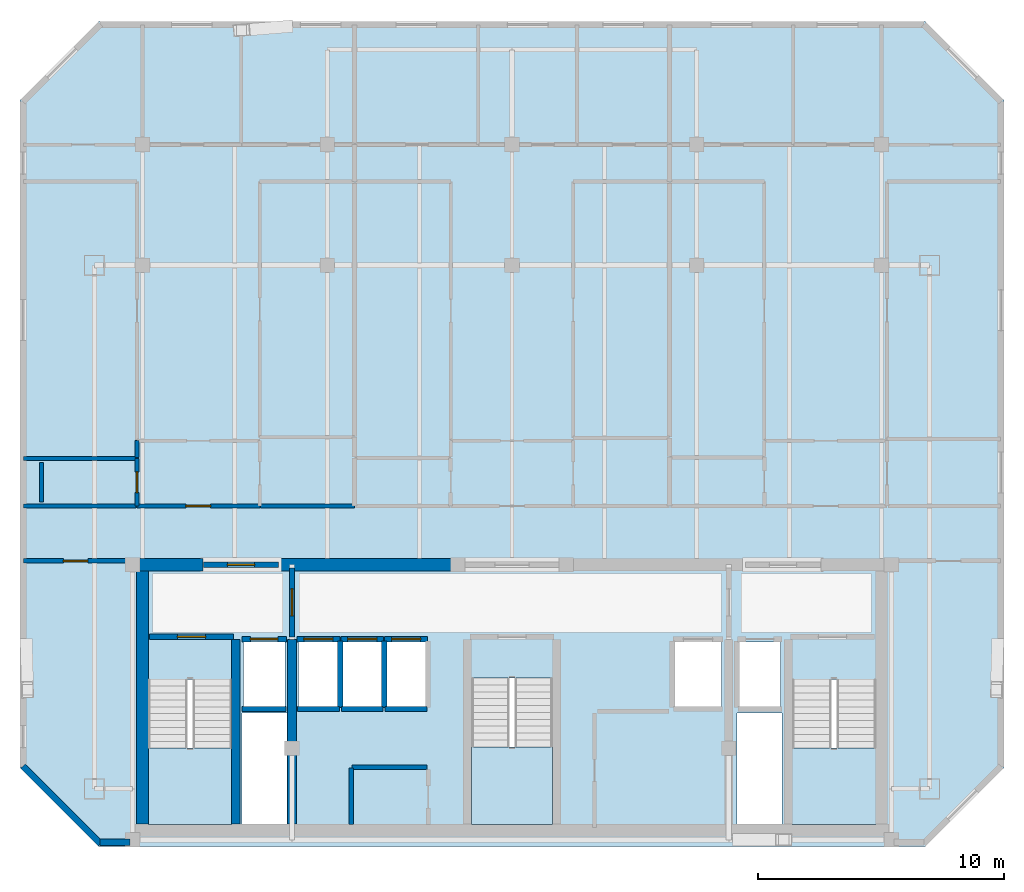
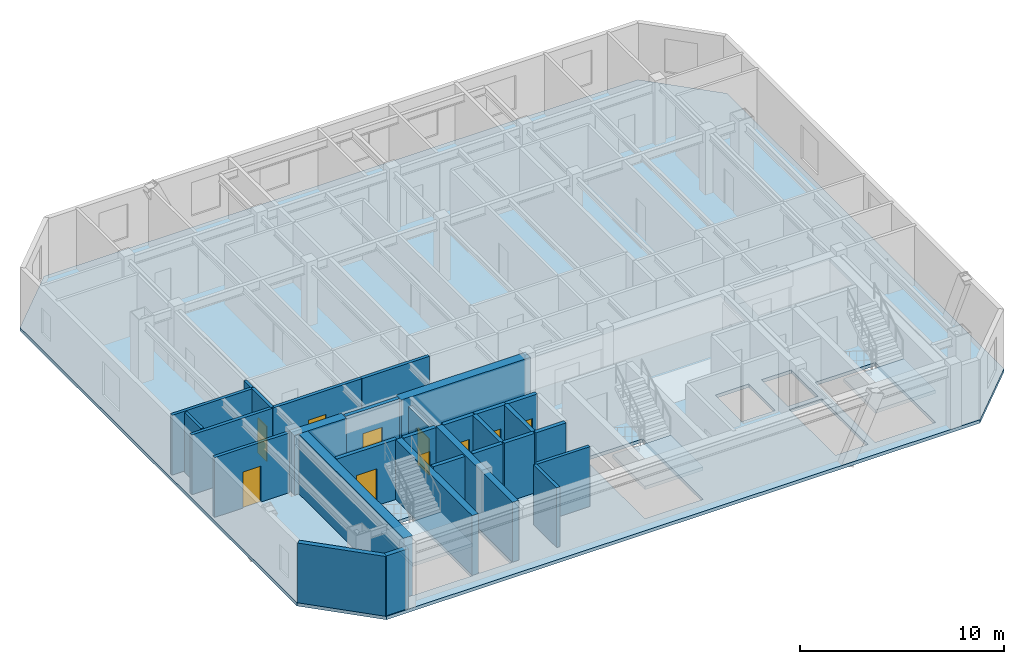
# One storey, part 2 of 7: 30 walls, 10 doors, 4 slabs, 10 openings, 3 elements without a shape of their own.
"""IFC4 building model written with IfcOpenShell, lengths in metres."""

from ifc_helpers import new_model, si_unit, direction, frame, frame_2d, origin, place, context, subcontext, project, spatial, polyline, rectangle, outline, extrude, material, layer, layer_set, type_object, element, fill, aggregate, save


model = new_model("IFC4")

# Units and contexts
model_context = context("Model", 3, precision=1e-05, world=origin(), true_north=direction((0.0, 1.0)))
body_context = subcontext(model_context, "Body", "Model", "MODEL_VIEW")
ifc_project = project(units=[si_unit("LENGTHUNIT", "METRE"), si_unit("AREAUNIT", "SQUARE_METRE"), si_unit("VOLUMEUNIT", "CUBIC_METRE"), si_unit("PLANEANGLEUNIT", "RADIAN"), si_unit("MASSUNIT", "GRAM", prefix="KILO")], contexts=[model_context])

# Site, building, storey
site_placement = place(None, origin())
site = spatial("IfcSite", under=ifc_project, at=site_placement, CompositionType="ELEMENT")
building_placement = place(site_placement, origin())
building = spatial("IfcBuilding", under=site, at=building_placement, Name="Ventersveld Concourse Tower", CompositionType="ELEMENT")
storey_placement = place(building_placement, frame((0.0, 0.0, 304.14990234375)))
storey = spatial("IfcBuildingStorey", under=building, at=storey_placement, Name="L75", CompositionType="ELEMENT", Elevation=304.14990234375)

# Slab
ifc_material_1 = material(Name="Concrete C50/60", Category="concrete")
ifc_layer_1 = layer(ifc_material_1, 0.199951171875)
ifc_layer_set_1 = layer_set([ifc_layer_1], Name="Concrete C50/60")
slab_type_1 = type_object("IfcSlabType", Name="SL-FLR-200", PredefinedType="FLOOR", material=ifc_layer_set_1)
slab_1_placement = place(storey_placement, frame((0.0, 0.0, -0.199951171875)))
element("IfcSlab", 1, at=slab_1_placement, inside=storey, type_object=slab_type_1, Name="L75 Composite Floor Slab", PredefinedType="FLOOR", context=body_context, shape_type="SweptSolid", body=[
    extrude(outline(polyline([(11.979736328125, 0.0), (45.520263671875, 0.0), (48.72021484375, 3.199951171875), (48.72021484375, 30.298828125), (45.520263671875, 33.498779296875), (11.979736328125, 33.498779296875), (8.77978515625, 30.298828125), (8.77978515625, 3.199951171875), (11.979736328125, 0.0)]), holes=[polyline([(13.97998046875, 6.794921875), (13.97998046875, 0.89990234375), (17.3798828125, 0.89990234375), (17.3798828125, 6.794921875), (13.97998046875, 6.794921875)]), polyline([(40.1201171875, 6.794921875), (40.1201171875, 0.89990234375), (43.52001953125, 0.89990234375), (43.52001953125, 6.794921875), (40.1201171875, 6.794921875)]), polyline([(27.10009765625, 6.844970703125), (27.10009765625, 0.89990234375), (30.39990234375, 0.89990234375), (30.39990234375, 6.844970703125), (27.10009765625, 6.844970703125)]), polyline([(17.85009765625, 5.699951171875), (19.530029296875, 5.699951171875), (19.530029296875, 8.300048828125), (17.85009765625, 8.300048828125), (17.85009765625, 5.699951171875)]), polyline([(37.969970703125, 5.699951171875), (39.64990234375, 5.699951171875), (39.64990234375, 8.300048828125), (37.969970703125, 8.300048828125), (37.969970703125, 5.699951171875)]), polyline([(35.35009765625, 5.699951171875), (37.25, 5.699951171875), (37.25, 8.300048828125), (35.35009765625, 8.300048828125), (35.35009765625, 5.699951171875)]), polyline([(20.090087890625, 5.699951171875), (21.68994140625, 5.699951171875), (21.68994140625, 8.300048828125), (20.090087890625, 8.300048828125), (20.090087890625, 5.699951171875)]), polyline([(21.8701171875, 5.699951171875), (23.469970703125, 5.699951171875), (23.469970703125, 8.300048828125), (21.8701171875, 8.300048828125), (21.8701171875, 5.699951171875)]), polyline([(23.64990234375, 5.699951171875), (25.25, 5.699951171875), (25.25, 8.300048828125), (23.64990234375, 8.300048828125), (23.64990234375, 5.699951171875)]), polyline([(17.780029296875, 0.919921875), (19.6201171875, 0.919921875), (19.6201171875, 5.419921875), (17.780029296875, 5.419921875), (17.780029296875, 0.919921875)]), polyline([(37.8798828125, 0.919921875), (39.719970703125, 0.919921875), (39.719970703125, 5.419921875), (37.8798828125, 5.419921875), (37.8798828125, 0.919921875)])]), origin(), (0.0, 0.0, 1.0), 0.199951171875),
])

# Stair, slab
stair_type_1 = type_object("IfcStairType", Name="ST-DOG-160", PredefinedType="HALF_TURN_STAIR", material=ifc_material_1)
stair_1_placement = place(storey_placement, origin())
stair_1 = element("IfcStair", 2, at=stair_1_placement, inside=storey, type_object=stair_type_1, Name="L75 Protected Tower Escape Stair ST-01", PredefinedType="HALF_TURN_STAIR")
ifc_layer_2 = layer(ifc_material_1, 0.199951171875)
ifc_layer_set_2 = layer_set([ifc_layer_2], Name="Concrete C50/60")
slab_type_2 = type_object("IfcSlabType", Name="SL-LND-200", PredefinedType="LANDING", material=ifc_layer_set_2)
slab_2_placement = place(storey_placement, frame((0.0, 0.0, 1.72509765625)))
slab_2 = element("IfcSlab", 3, at=slab_2_placement, type_object=slab_type_2, Name="ST-01 landing 1", PredefinedType="LANDING", context=body_context, shape_type="SweptSolid", body=[
    extrude(outline(polyline([(13.97998046875, 4.0), (13.97998046875, 0.89990234375), (17.3798828125, 0.89990234375), (17.3798828125, 4.0), (13.97998046875, 4.0)])), origin(), (0.0, 0.0, 1.0), 0.199951171875),
])
aggregate(stair_1, [slab_2])

stair_2_placement = place(storey_placement, origin())
stair_2 = element("IfcStair", 4, at=stair_2_placement, inside=storey, type_object=stair_type_1, Name="L75 Protected Tower Escape Stair ST-02", PredefinedType="HALF_TURN_STAIR")
slab_3_placement = place(storey_placement, frame((0.0, 0.0, 1.72509765625)))
slab_3 = element("IfcSlab", 5, at=slab_3_placement, type_object=slab_type_2, Name="ST-02 landing 1", PredefinedType="LANDING", context=body_context, shape_type="SweptSolid", body=[
    extrude(outline(polyline([(40.1201171875, 4.0), (40.1201171875, 0.89990234375), (43.52001953125, 0.89990234375), (43.52001953125, 4.0), (40.1201171875, 4.0)])), origin(), (0.0, 0.0, 1.0), 0.199951171875),
])
aggregate(stair_2, [slab_3])

stair_type_2 = type_object("IfcStairType", Name="ST-DOG-155", PredefinedType="HALF_TURN_STAIR", material=ifc_material_1)
stair_3_placement = place(storey_placement, origin())
stair_3 = element("IfcStair", 6, at=stair_3_placement, inside=storey, type_object=stair_type_2, Name="L75 Protected Central Core Escape Stair ST-03", PredefinedType="HALF_TURN_STAIR")
slab_4_placement = place(storey_placement, frame((0.0, 0.0, 1.72509765625)))
slab_4 = element("IfcSlab", 7, at=slab_4_placement, type_object=slab_type_2, Name="ST-03 landing 1", PredefinedType="LANDING", context=body_context, shape_type="SweptSolid", body=[
    extrude(outline(polyline([(27.10009765625, 4.050048828125), (27.10009765625, 0.89990234375), (30.39990234375, 0.89990234375), (30.39990234375, 4.050048828125), (27.10009765625, 4.050048828125)])), origin(), (0.0, 0.0, 1.0), 0.199951171875),
])
aggregate(stair_3, [slab_4])

# Walls
ifc_layer_3 = layer(ifc_material_1, 0.35009765625)
ifc_layer_set_3 = layer_set([ifc_layer_3], Name="Concrete C50/60")
wall_type_1 = type_object("IfcWallType", Name="WL-CORE-350U", PredefinedType="SHEAR", material=ifc_layer_set_3)
for number, where, z_axis, x_axis, name in (
    (8, (17.5400390625, 0.919921875, 0.0), (0.0, 0.0, 1.0), (0.0, 1.0, 0.0), "L75 Core Internal Shear Web W-ST1-E"),
    (9, (19.820068359375, 0.919921875, 0.0), (0.0, 0.0, 1.0), (0.0, 1.0, 0.0), "L75 Core Internal Shear Web W-FF1-E"),
):
    element("IfcWall", number, at=place(storey_placement, frame(where, z_axis=z_axis, x_axis=x_axis)), inside=storey, type_object=wall_type_1, Name=name, PredefinedType="SHEAR", context=body_context, shape_type="SweptSolid", body=[
        extrude(rectangle(XDim=7.5, YDim=0.35009765625, at=frame_2d((3.75, 0.0))), origin(), (0.0, 0.0, 1.0), 3.570068359375),
    ])
ifc_layer_4 = layer(ifc_material_1, 0.5)
ifc_layer_set_4 = layer_set([ifc_layer_4], Name="Concrete C50/60")
wall_type_2 = type_object("IfcWallType", Name="WL-CORE-500", PredefinedType="SHEAR", material=ifc_layer_set_4)
wall_1_placement = place(storey_placement, frame((13.75, 0.919921875, 0.0), z_axis=(0.0, 0.0, 1.0), x_axis=(0.0, 1.0, 0.0)))
element("IfcWall", 10, at=wall_1_placement, inside=storey, type_object=wall_type_2, Name="L75 Rear Core West Shear Wall", PredefinedType="SHEAR", context=body_context, shape_type="SweptSolid", body=[
    extrude(rectangle(XDim=10.530029296875, YDim=0.5, at=frame_2d((5.26513671875, 0.0))), origin(), (0.0, 0.0, 1.0), 3.570068359375),
])
wall_2_placement = place(storey_placement, frame((13.25, 11.449951171875, 0.0), z_axis=(0.0, 0.0, 1.0), x_axis=(1.0, 0.0, 0.0)))
element("IfcWall", 11, at=wall_2_placement, inside=storey, type_object=wall_type_2, Name="L75 Rear Core North Shear Wall NW", PredefinedType="SHEAR", context=body_context, shape_type="SweptSolid", body=[
    extrude(rectangle(XDim=2.949951171875, YDim=0.5, at=frame_2d((1.47509765625, 0.0))), origin(), (0.0, 0.0, 1.0), 3.570068359375),
])
wall_3_placement = place(storey_placement, frame((19.300048828125, 11.449951171875, 0.0), z_axis=(0.0, 0.0, 1.0), x_axis=(1.0, 0.0, 0.0)))
element("IfcWall", 12, at=wall_3_placement, inside=storey, type_object=wall_type_2, Name="L75 Rear Core North Shear Wall NML", PredefinedType="SHEAR", context=body_context, shape_type="SweptSolid", body=[
    extrude(rectangle(XDim=7.300048828125, YDim=0.5, at=frame_2d((3.64990234375, 0.0))), origin(), (0.0, 0.0, 1.0), 3.570068359375),
])
ifc_material_2 = material(Name="Fire-rated autoclaved aerated masonry blockwork", Category="masonry")
ifc_layer_5 = layer(ifc_material_2, 0.179931640625)
ifc_layer_set_5 = layer_set([ifc_layer_5], Name="Fire-rated autoclaved aerated masonry blockwork")
wall_type_3 = type_object("IfcWallType", Name="WL-CORR-180", PredefinedType="PARTITIONING", material=ifc_layer_set_5)
wall_4_placement = place(storey_placement, frame((22.260009765625, 3.22998046875, 0.0), z_axis=(0.0, 0.0, 1.0), x_axis=(1.0, 0.0, 0.0)))
element("IfcWall", 13, at=wall_4_placement, inside=storey, type_object=wall_type_3, Name="L75 Core Top Wall SP-L75-RECB1", PredefinedType="PARTITIONING", context=body_context, shape_type="SweptSolid", body=[
    extrude(rectangle(XDim=3.0400390625, YDim=0.179931640625, at=frame_2d((1.52001953125, 0.0))), origin(), (0.0, 0.0, 1.0), 3.570068359375),
])
wall_5_placement = place(storey_placement, frame((22.219970703125, 0.909912109375, 0.0), z_axis=(0.0, 0.0, 1.0), x_axis=(0.0, 1.0, 0.0)))
element("IfcWall", 14, at=wall_5_placement, inside=storey, type_object=wall_type_3, Name="L75 Core West Wall SP-L75-RECB1", PredefinedType="PARTITIONING", context=body_context, shape_type="SweptSolid", body=[
    extrude(rectangle(XDim=2.280029296875, YDim=0.179931640625, at=frame_2d((1.14013671875, 0.0))), origin(), (0.0, 0.0, 1.0), 3.570068359375),
])

# Wall, opening, door
wall_6_placement = place(storey_placement, frame((8.92919921875, 11.60009765625, 0.0), z_axis=(0.0, 0.0, 1.0), x_axis=(1.0, 0.0, 0.0)))
wall_6 = element("IfcWall", 15, at=wall_6_placement, inside=storey, type_object=wall_type_3, Name="L75 Interior Partition SP-L75-SW-GAL-SP-L75-COR", PredefinedType="PARTITIONING", context=body_context, shape_type="SweptSolid", body=[
    extrude(rectangle(XDim=4.2158203125, YDim=0.179931640625, at=frame_2d((2.10791015625, 0.0))), origin(), (0.0, 0.0, 1.0), 3.570068359375),
])
opening_1_placement = place(wall_6_placement, frame((1.60791015625, 0.0, 0.0)))
opening_1 = element("IfcOpeningElement", 16, at=opening_1_placement, cuts=wall_6, Name="Opening FD3", PredefinedType="OPENING", context=body_context, shape_type="SweptSolid", body=[
    extrude(rectangle(XDim=1.0, YDim=2.14990234375, at=frame_2d((0.5, 1.074951171875))), frame((0.0, 0.10009765625, 0.0), z_axis=(0.0, -1.0, 0.0), x_axis=(1.0, 0.0, 0.0)), (0.0, 0.0, 1.0), 0.199951171875),
])
ifc_material_3 = material(Name="Solid-core hardwood veneer timber", Category="wood")
door_type_1 = type_object("IfcDoorType", Name="DR-FLAT-100", OperationType="NOTDEFINED", PredefinedType="DOOR", material=ifc_material_3)
door_1_placement = place(opening_1_placement, origin())
door_1 = element("IfcDoor", 17, at=door_1_placement, inside=storey, type_object=door_type_1, Name="L75 Interior Door SP-L75-SW-GAL to SP-L75-COR (D-L75-3450)", OperationType="SINGLE_SWING_RIGHT", OverallHeight=2.14990234375, OverallWidth=1.0, PredefinedType="DOOR", context=body_context, shape_type="SweptSolid", body=[
    extrude(rectangle(XDim=1.0, YDim=2.14990234375, at=frame_2d((0.5, 1.074951171875))), frame((0.0, 0.02490234375, 0.0), z_axis=(0.0, -1.0, 0.0), x_axis=(1.0, 0.0, 0.0)), (0.0, 0.0, 1.0), 0.050048828125),
])
fill(opening_1, door_1)

wall_7_placement = place(storey_placement, frame((13.5205078125, 13.830078125, 0.0), z_axis=(0.0, 0.0, 1.0), x_axis=(1.0, 0.0, 0.0)))
wall_7 = element("IfcWall", 18, at=wall_7_placement, inside=storey, type_object=wall_type_3, Name="L75 Interior Partition SP-L75-COR-SP-L75-75N1-FOY", PredefinedType="PARTITIONING", context=body_context, shape_type="SweptSolid", body=[
    extrude(rectangle(XDim=4.989990234375, YDim=0.179931640625, at=frame_2d((2.4951171875, 0.0))), origin(), (0.0, 0.0, 1.0), 3.570068359375),
])
opening_2_placement = place(wall_7_placement, frame((1.9951171875, 0.0, 0.0)))
opening_2 = element("IfcOpeningElement", 19, at=opening_2_placement, cuts=wall_7, Name="Opening FD3", PredefinedType="OPENING", context=body_context, shape_type="SweptSolid", body=[
    extrude(rectangle(XDim=1.0, YDim=2.14990234375, at=frame_2d((0.5, 1.074951171875))), frame((0.0, 0.10009765625, 0.0), z_axis=(0.0, -1.0, 0.0), x_axis=(1.0, 0.0, 0.0)), (0.0, 0.0, 1.0), 0.199951171875),
])
door_2_placement = place(opening_2_placement, origin())
door_2 = element("IfcDoor", 20, at=door_2_placement, inside=storey, type_object=door_type_1, Name="L75 Interior Door SP-L75-COR to SP-L75-75N1-FOY (FD-L75-3452)", OperationType="SINGLE_SWING_RIGHT", OverallHeight=2.14990234375, OverallWidth=1.0, PredefinedType="DOOR", context=body_context, shape_type="SweptSolid", body=[
    extrude(rectangle(XDim=1.0, YDim=2.14990234375, at=frame_2d((0.5, 1.074951171875))), frame((0.0, 0.02490234375, 0.0), z_axis=(0.0, -1.0, 0.0), x_axis=(1.0, 0.0, 0.0)), (0.0, 0.0, 1.0), 0.050048828125),
])
fill(opening_2, door_2)

# Walls
wall_8_placement = place(storey_placement, frame((8.92919921875, 13.830078125, 0.0), z_axis=(0.0, 0.0, 1.0), x_axis=(1.0, 0.0, 0.0)))
element("IfcWall", 21, at=wall_8_placement, inside=storey, type_object=wall_type_3, Name="L75 Interior Partition SP-L75-COR-SP-L75-75N1-BATH", PredefinedType="PARTITIONING", context=body_context, shape_type="SweptSolid", body=[
    extrude(rectangle(XDim=4.561279296875, YDim=0.179931640625, at=frame_2d((2.28076171875, 0.0))), origin(), (0.0, 0.0, 1.0), 3.570068359375),
])
wall_9_placement = place(storey_placement, frame((18.54052734375, 13.830078125, 0.0), z_axis=(0.0, 0.0, 1.0), x_axis=(1.0, 0.0, 0.0)))
element("IfcWall", 22, at=wall_9_placement, inside=storey, type_object=wall_type_3, Name="L75 Interior Partition SP-L75-COR-SP-L75-75N1-KIT", PredefinedType="PARTITIONING", context=body_context, shape_type="SweptSolid", body=[
    extrude(rectangle(XDim=3.821044921875, YDim=0.179931640625, at=frame_2d((1.91064453125, 0.0))), origin(), (0.0, 0.0, 1.0), 3.570068359375),
])
ifc_layer_6 = layer(ifc_material_2, 0.219970703125)
ifc_layer_set_6 = layer_set([ifc_layer_6], Name="Fire-rated autoclaved aerated masonry blockwork")
wall_type_4 = type_object("IfcWallType", Name="WL-HOIST-220", PredefinedType="SOLIDWALL", material=ifc_layer_set_6)
wall_10_placement = place(storey_placement, frame((17.800048828125, 5.590087890625, 0.0), z_axis=(0.0, 0.0, 1.0), x_axis=(1.0, 0.0, 0.0)))
element("IfcWall", 23, at=wall_10_placement, inside=storey, type_object=wall_type_4, Name="L75 Lift Hoistway Back Wall FFL-01", PredefinedType="SOLIDWALL", context=body_context, shape_type="SweptSolid", body=[
    extrude(rectangle(XDim=1.780029296875, YDim=0.219970703125, at=frame_2d((0.89013671875, 0.0))), origin(), (0.0, 0.0, 1.0), 3.570068359375),
])

# Wall, opening, door
wall_11_placement = place(storey_placement, frame((17.780029296875, 8.429931640625, 0.0), z_axis=(0.0, 0.0, 1.0), x_axis=(1.0, 0.0, 0.0)))
wall_11 = element("IfcWall", 24, at=wall_11_placement, inside=storey, type_object=wall_type_4, Name="L75 Lift Hoistway Front Wall FFL-01", PredefinedType="SOLIDWALL", context=body_context, shape_type="SweptSolid", body=[
    extrude(rectangle(XDim=1.820068359375, YDim=0.219970703125, at=frame_2d((0.91015625, 0.0))), origin(), (0.0, 0.0, 1.0), 3.570068359375),
])
opening_3_placement = place(wall_11_placement, frame((0.35009765625, 0.0, 0.0)))
opening_3 = element("IfcOpeningElement", 25, at=opening_3_placement, cuts=wall_11, Name="Opening LD1", PredefinedType="OPENING", context=body_context, shape_type="SweptSolid", body=[
    extrude(rectangle(XDim=1.1201171875, YDim=2.25, at=frame_2d((0.56005859375, 1.125))), frame((0.0, 0.1201171875, 0.0), z_axis=(0.0, -1.0, 0.0), x_axis=(1.0, 0.0, 0.0)), (0.0, 0.0, 1.0), 0.239990234375),
])
ifc_material_4 = material(Name="Brushed stainless steel 316", Category="steel")
door_type_2 = type_object("IfcDoorType", Name="LD-FF-112", OperationType="SLIDING_TO_LEFT", PredefinedType="DOOR", material=ifc_material_4)
door_3_placement = place(opening_3_placement, origin())
door_3 = element("IfcDoor", 26, at=door_3_placement, inside=storey, type_object=door_type_2, Name="L75 Lift landing door FFL-01 (LD-L75-FFL-01)", OperationType="SLIDING_TO_RIGHT", OverallHeight=2.25, OverallWidth=1.1201171875, PredefinedType="DOOR", context=body_context, shape_type="SweptSolid", body=[
    extrude(rectangle(XDim=1.1201171875, YDim=2.25, at=frame_2d((0.56005859375, 1.125))), frame((0.0, 0.02490234375, 0.0), z_axis=(0.0, -1.0, 0.0), x_axis=(1.0, 0.0, 0.0)), (0.0, 0.0, 1.0), 0.050048828125),
])
fill(opening_3, door_3)

# Walls
wall_12_placement = place(storey_placement, frame((20.0400390625, 5.590087890625, 0.0), z_axis=(0.0, 0.0, 1.0), x_axis=(1.0, 0.0, 0.0)))
element("IfcWall", 27, at=wall_12_placement, inside=storey, type_object=wall_type_4, Name="L75 Lift Hoistway Back Wall PH-01", PredefinedType="SOLIDWALL", context=body_context, shape_type="SweptSolid", body=[
    extrude(rectangle(XDim=1.699951171875, YDim=0.219970703125, at=frame_2d((0.85009765625, 0.0))), origin(), (0.0, 0.0, 1.0), 3.570068359375),
])
wall_13_placement = place(storey_placement, frame((21.780029296875, 5.64990234375, 0.0), z_axis=(0.0, 0.0, 1.0), x_axis=(0.0, 1.0, 0.0)))
element("IfcWall", 28, at=wall_13_placement, inside=storey, type_object=wall_type_4, Name="L75 Lift Hoistway Side Wall PH-01E", PredefinedType="SOLIDWALL", context=body_context, shape_type="SweptSolid", body=[
    extrude(rectangle(XDim=2.7001953125, YDim=0.219970703125, at=frame_2d((1.35009765625, 0.0))), origin(), (0.0, 0.0, 1.0), 3.570068359375),
])

# Wall, opening, door
wall_14_placement = place(storey_placement, frame((20.02001953125, 8.429931640625, 0.0), z_axis=(0.0, 0.0, 1.0), x_axis=(1.0, 0.0, 0.0)))
wall_14 = element("IfcWall", 29, at=wall_14_placement, inside=storey, type_object=wall_type_4, Name="L75 Lift Hoistway Front Wall PH-01", PredefinedType="SOLIDWALL", context=body_context, shape_type="SweptSolid", body=[
    extrude(rectangle(XDim=1.739990234375, YDim=0.219970703125, at=frame_2d((0.8701171875, 0.0))), origin(), (0.0, 0.0, 1.0), 3.570068359375),
])
opening_4_placement = place(wall_14_placement, frame((0.280029296875, 0.0, 0.0)))
opening_4 = element("IfcOpeningElement", 30, at=opening_4_placement, cuts=wall_14, Name="Opening LD2", PredefinedType="OPENING", context=body_context, shape_type="SweptSolid", body=[
    extrude(rectangle(XDim=1.179931640625, YDim=2.199951171875, at=frame_2d((0.58984375, 1.10009765625))), frame((0.0, 0.1201171875, 0.0), z_axis=(0.0, -1.0, 0.0), x_axis=(1.0, 0.0, 0.0)), (0.0, 0.0, 1.0), 0.239990234375),
])
door_type_3 = type_object("IfcDoorType", Name="LD-PAX-118", OperationType="SLIDING_TO_LEFT", PredefinedType="DOOR", material=ifc_material_4)
door_4_placement = place(opening_4_placement, origin())
door_4 = element("IfcDoor", 31, at=door_4_placement, inside=storey, type_object=door_type_3, Name="L75 Lift landing door PH-01 (LD-L75-PH-01)", OperationType="SLIDING_TO_LEFT", OverallHeight=2.199951171875, OverallWidth=1.179931640625, PredefinedType="DOOR", context=body_context, shape_type="SweptSolid", body=[
    extrude(rectangle(XDim=1.179931640625, YDim=2.199951171875, at=frame_2d((0.58984375, 1.10009765625))), frame((0.0, 0.02490234375, 0.0), z_axis=(0.0, -1.0, 0.0), x_axis=(1.0, 0.0, 0.0)), (0.0, 0.0, 1.0), 0.050048828125),
])
fill(opening_4, door_4)

# Walls
wall_15_placement = place(storey_placement, frame((21.820068359375, 5.590087890625, 0.0), z_axis=(0.0, 0.0, 1.0), x_axis=(1.0, 0.0, 0.0)))
element("IfcWall", 32, at=wall_15_placement, inside=storey, type_object=wall_type_4, Name="L75 Lift Hoistway Back Wall PH-02", PredefinedType="SOLIDWALL", context=body_context, shape_type="SweptSolid", body=[
    extrude(rectangle(XDim=1.699951171875, YDim=0.219970703125, at=frame_2d((0.85009765625, 0.0))), origin(), (0.0, 0.0, 1.0), 3.570068359375),
])
wall_16_placement = place(storey_placement, frame((23.56005859375, 5.64990234375, 0.0), z_axis=(0.0, 0.0, 1.0), x_axis=(0.0, 1.0, 0.0)))
element("IfcWall", 33, at=wall_16_placement, inside=storey, type_object=wall_type_4, Name="L75 Lift Hoistway Side Wall PH-02E", PredefinedType="SOLIDWALL", context=body_context, shape_type="SweptSolid", body=[
    extrude(rectangle(XDim=2.7001953125, YDim=0.219970703125, at=frame_2d((1.35009765625, 0.0))), origin(), (0.0, 0.0, 1.0), 3.570068359375),
])

# Wall, opening, door
wall_17_placement = place(storey_placement, frame((21.800048828125, 8.429931640625, 0.0), z_axis=(0.0, 0.0, 1.0), x_axis=(1.0, 0.0, 0.0)))
wall_17 = element("IfcWall", 34, at=wall_17_placement, inside=storey, type_object=wall_type_4, Name="L75 Lift Hoistway Front Wall PH-02", PredefinedType="SOLIDWALL", context=body_context, shape_type="SweptSolid", body=[
    extrude(rectangle(XDim=1.739990234375, YDim=0.219970703125, at=frame_2d((0.8701171875, 0.0))), origin(), (0.0, 0.0, 1.0), 3.570068359375),
])
opening_5_placement = place(wall_17_placement, frame((0.280029296875, 0.0, 0.0)))
opening_5 = element("IfcOpeningElement", 35, at=opening_5_placement, cuts=wall_17, Name="Opening LD2", PredefinedType="OPENING", context=body_context, shape_type="SweptSolid", body=[
    extrude(rectangle(XDim=1.179931640625, YDim=2.199951171875, at=frame_2d((0.58984375, 1.10009765625))), frame((0.0, 0.1201171875, 0.0), z_axis=(0.0, -1.0, 0.0), x_axis=(1.0, 0.0, 0.0)), (0.0, 0.0, 1.0), 0.239990234375),
])
door_5_placement = place(opening_5_placement, origin())
door_5 = element("IfcDoor", 36, at=door_5_placement, inside=storey, type_object=door_type_3, Name="L75 Lift landing door PH-02 (LD-L75-PH-02)", OperationType="SLIDING_TO_RIGHT", OverallHeight=2.199951171875, OverallWidth=1.179931640625, PredefinedType="DOOR", context=body_context, shape_type="SweptSolid", body=[
    extrude(rectangle(XDim=1.179931640625, YDim=2.199951171875, at=frame_2d((0.58984375, 1.10009765625))), frame((0.0, 0.02490234375, 0.0), z_axis=(0.0, -1.0, 0.0), x_axis=(1.0, 0.0, 0.0)), (0.0, 0.0, 1.0), 0.050048828125),
])
fill(opening_5, door_5)

# Wall
wall_18_placement = place(storey_placement, frame((23.60009765625, 5.590087890625, 0.0), z_axis=(0.0, 0.0, 1.0), x_axis=(1.0, 0.0, 0.0)))
element("IfcWall", 37, at=wall_18_placement, inside=storey, type_object=wall_type_4, Name="L75 Lift Hoistway Back Wall PH-03", PredefinedType="SOLIDWALL", context=body_context, shape_type="SweptSolid", body=[
    extrude(rectangle(XDim=1.699951171875, YDim=0.219970703125, at=frame_2d((0.85009765625, 0.0))), origin(), (0.0, 0.0, 1.0), 3.570068359375),
])

# Wall, opening, door
wall_19_placement = place(storey_placement, frame((23.580078125, 8.429931640625, 0.0), z_axis=(0.0, 0.0, 1.0), x_axis=(1.0, 0.0, 0.0)))
wall_19 = element("IfcWall", 38, at=wall_19_placement, inside=storey, type_object=wall_type_4, Name="L75 Lift Hoistway Front Wall PH-03", PredefinedType="SOLIDWALL", context=body_context, shape_type="SweptSolid", body=[
    extrude(rectangle(XDim=1.739990234375, YDim=0.219970703125, at=frame_2d((0.8701171875, 0.0))), origin(), (0.0, 0.0, 1.0), 3.570068359375),
])
opening_6_placement = place(wall_19_placement, frame((0.280029296875, 0.0, 0.0)))
opening_6 = element("IfcOpeningElement", 39, at=opening_6_placement, cuts=wall_19, Name="Opening LD2", PredefinedType="OPENING", context=body_context, shape_type="SweptSolid", body=[
    extrude(rectangle(XDim=1.179931640625, YDim=2.199951171875, at=frame_2d((0.58984375, 1.10009765625))), frame((0.0, 0.1201171875, 0.0), z_axis=(0.0, -1.0, 0.0), x_axis=(1.0, 0.0, 0.0)), (0.0, 0.0, 1.0), 0.239990234375),
])
door_6_placement = place(opening_6_placement, origin())
door_6 = element("IfcDoor", 40, at=door_6_placement, inside=storey, type_object=door_type_3, Name="L75 Lift landing door PH-03 (LD-L75-PH-03)", OperationType="SLIDING_TO_LEFT", OverallHeight=2.199951171875, OverallWidth=1.179931640625, PredefinedType="DOOR", context=body_context, shape_type="SweptSolid", body=[
    extrude(rectangle(XDim=1.179931640625, YDim=2.199951171875, at=frame_2d((0.58984375, 1.10009765625))), frame((0.0, 0.02490234375, 0.0), z_axis=(0.0, -1.0, 0.0), x_axis=(1.0, 0.0, 0.0)), (0.0, 0.0, 1.0), 0.050048828125),
])
fill(opening_6, door_6)

wall_20_placement = place(storey_placement, frame((14.0400390625, 8.52001953125, 0.0), z_axis=(0.0, 0.0, 1.0), x_axis=(1.0, 0.0, 0.0)))
wall_20 = element("IfcWall", 41, at=wall_20_placement, inside=storey, type_object=wall_type_4, Name="L75 Escape Stair ST01 Fire Wall", PredefinedType="SOLIDWALL", context=body_context, shape_type="SweptSolid", body=[
    extrude(rectangle(XDim=3.39990234375, YDim=0.219970703125, at=frame_2d((1.699951171875, 0.0))), origin(), (0.0, 0.0, 1.0), 3.570068359375),
])
opening_7_placement = place(wall_20_placement, frame((1.125, 0.0, 0.0)))
opening_7 = element("IfcOpeningElement", 42, at=opening_7_placement, cuts=wall_20, Name="Opening FD1", PredefinedType="OPENING", context=body_context, shape_type="SweptSolid", body=[
    extrude(rectangle(XDim=1.14990234375, YDim=2.199951171875, at=frame_2d((0.574951171875, 1.10009765625))), frame((0.0, 0.1201171875, 0.0), z_axis=(0.0, -1.0, 0.0), x_axis=(1.0, 0.0, 0.0)), (0.0, 0.0, 1.0), 0.239990234375),
])
ifc_material_5 = material(Name="Galvanised painted steel", Category="steel")
door_type_4 = type_object("IfcDoorType", Name="DR-STAIR-115", OperationType="NOTDEFINED", PredefinedType="DOOR", material=ifc_material_5)
door_7_placement = place(opening_7_placement, origin())
door_7 = element("IfcDoor", 43, at=door_7_placement, inside=storey, type_object=door_type_4, Name="L75 Escape Stair Door ST01 (SD-L75-3440)", OperationType="SINGLE_SWING_LEFT", OverallHeight=2.199951171875, OverallWidth=1.14990234375, PredefinedType="DOOR", context=body_context, shape_type="SweptSolid", body=[
    extrude(rectangle(XDim=1.14990234375, YDim=2.199951171875, at=frame_2d((0.574951171875, 1.10009765625))), frame((0.0, 0.02490234375, 0.0), z_axis=(0.0, -1.0, 0.0), x_axis=(1.0, 0.0, 0.0)), (0.0, 0.0, 1.0), 0.050048828125),
])
fill(opening_7, door_7)

wall_21_placement = place(storey_placement, frame((19.820068359375, 8.52001953125, 0.0), z_axis=(0.0, 0.0, 1.0), x_axis=(0.0, 1.0, 0.0)))
wall_21 = element("IfcWall", 44, at=wall_21_placement, inside=storey, type_object=wall_type_4, Name="L75 Firefighting Lobby Smoke-Stop Wall FFLW-SEP", PredefinedType="SOLIDWALL", context=body_context, shape_type="SweptSolid", body=[
    extrude(rectangle(XDim=2.800048828125, YDim=0.219970703125, at=frame_2d((1.39990234375, 0.0))), origin(), (0.0, 0.0, 1.0), 3.025634765625),
])
opening_8_placement = place(wall_21_placement, frame((0.85009765625, 0.0, 0.0)))
opening_8 = element("IfcOpeningElement", 45, at=opening_8_placement, cuts=wall_21, Name="Opening FD2", PredefinedType="OPENING", context=body_context, shape_type="SweptSolid", body=[
    extrude(rectangle(XDim=1.10009765625, YDim=2.199951171875, at=frame_2d((0.550048828125, 1.10009765625))), frame((0.0, 0.1201171875, 0.0), z_axis=(0.0, -1.0, 0.0), x_axis=(1.0, 0.0, 0.0)), (0.0, 0.0, 1.0), 0.239990234375),
])
door_type_5 = type_object("IfcDoorType", Name="DR-FFL-110", OperationType="NOTDEFINED", PredefinedType="DOOR", material=ifc_material_5)
door_8_placement = place(opening_8_placement, origin())
door_8 = element("IfcDoor", 46, at=door_8_placement, inside=storey, type_object=door_type_5, Name="L75 Firefighting Lobby Door FFLW-SEP (FD-L75-3443)", OperationType="SINGLE_SWING_LEFT", OverallHeight=2.199951171875, OverallWidth=1.10009765625, PredefinedType="DOOR", context=body_context, shape_type="SweptSolid", body=[
    extrude(rectangle(XDim=1.10009765625, YDim=2.199951171875, at=frame_2d((0.550048828125, 1.10009765625))), frame((0.0, 0.02490234375, 0.0), z_axis=(0.0, -1.0, 0.0), x_axis=(1.0, 0.0, 0.0)), (0.0, 0.0, 1.0), 0.050048828125),
])
fill(opening_8, door_8)

wall_22_placement = place(storey_placement, frame((16.22998046875, 11.449951171875, 0.0), z_axis=(0.0, 0.0, 1.0), x_axis=(1.0, 0.0, 0.0)))
wall_22 = element("IfcWall", 47, at=wall_22_placement, inside=storey, type_object=wall_type_4, Name="L75 Core North Fire Portal FFLW-OUT", PredefinedType="SOLIDWALL", context=body_context, shape_type="SweptSolid", body=[
    extrude(rectangle(XDim=3.0400390625, YDim=0.219970703125, at=frame_2d((1.52001953125, 0.0))), origin(), (0.0, 0.0, 1.0), 3.570068359375),
])
opening_9_placement = place(wall_22_placement, frame((0.969970703125, 0.0, 0.0)))
opening_9 = element("IfcOpeningElement", 48, at=opening_9_placement, cuts=wall_22, Name="Opening FD2", PredefinedType="OPENING", context=body_context, shape_type="SweptSolid", body=[
    extrude(rectangle(XDim=1.10009765625, YDim=2.199951171875, at=frame_2d((0.550048828125, 1.10009765625))), frame((0.0, 0.1201171875, 0.0), z_axis=(0.0, -1.0, 0.0), x_axis=(1.0, 0.0, 0.0)), (0.0, 0.0, 1.0), 0.239990234375),
])
door_9_placement = place(opening_9_placement, origin())
door_9 = element("IfcDoor", 49, at=door_9_placement, inside=storey, type_object=door_type_5, Name="L75 Core Lobby Fire Door FFLW-OUT (FD-L75-3445)", OperationType="SINGLE_SWING_RIGHT", OverallHeight=2.199951171875, OverallWidth=1.10009765625, PredefinedType="DOOR", context=body_context, shape_type="SweptSolid", body=[
    extrude(rectangle(XDim=1.10009765625, YDim=2.199951171875, at=frame_2d((0.550048828125, 1.10009765625))), frame((0.0, 0.02490234375, 0.0), z_axis=(0.0, -1.0, 0.0), x_axis=(1.0, 0.0, 0.0)), (0.0, 0.0, 1.0), 0.050048828125),
])
fill(opening_9, door_9)

# Walls
ifc_material_6 = material(Name="Autoclaved aerated masonry blockwork", Category="masonry")
ifc_layer_7 = layer(ifc_material_6, 0.14990234375)
ifc_layer_set_7 = layer_set([ifc_layer_7], Name="Autoclaved aerated masonry blockwork")
wall_type_5 = type_object("IfcWallType", Name="WL-INT-150", PredefinedType="PARTITIONING", material=ifc_layer_set_7)
wall_23_placement = place(storey_placement, frame((13.525634765625, 15.79296875, 0.0), z_axis=(0.0, 0.0, 1.0), x_axis=(0.0, 1.0, 0.0)))
element("IfcWall", 50, at=wall_23_placement, inside=storey, type_object=wall_type_5, Name="L75 Interior Partition SP-L75-75N1-FOY-SP-L75-75N1-OFFL0", PredefinedType="PARTITIONING", context=body_context, shape_type="SweptSolid", body=[
    extrude(rectangle(XDim=0.692138671875, YDim=0.14990234375, at=frame_2d((0.34619140625, 0.0))), origin(), (0.0, 0.0, 1.0), 3.570068359375),
])
ifc_material_7 = material(Name="Precast concrete C45/55", Category="concrete")
ifc_layer_8 = layer(ifc_material_7, 0.260009765625)
ifc_layer_set_8 = layer_set([ifc_layer_8], Name="Precast concrete C45/55")
wall_type_6 = type_object("IfcWallType", Name="WL-PREC-260", PredefinedType="SOLIDWALL", material=ifc_layer_set_8)
wall_24_placement = place(storey_placement, frame((12.019775390625, 0.179931640625, 0.0), z_axis=(0.0, 0.0, 1.0), x_axis=(1.0, 0.0, 0.0)))
element("IfcWall", 51, at=wall_24_placement, inside=storey, type_object=wall_type_6, Name="L75 South-West Flank Precast Wall", PredefinedType="SOLIDWALL", context=body_context, shape_type="SweptSolid", body=[
    extrude(rectangle(XDim=1.230224609375, YDim=0.260009765625, at=frame_2d((0.615234375, 0.0))), origin(), (0.0, 0.0, 1.0), 3.570068359375),
])
wall_25_placement = place(storey_placement, frame((8.89990234375, 3.263671875, 0.0), z_axis=(0.0, 0.0, 1.0), x_axis=(0.707079321262, -0.707134240044, 0.0)))
element("IfcWall", 52, at=wall_25_placement, inside=storey, type_object=wall_type_6, Name="L75 Highveld Precast Facade Wall E08", PredefinedType="SOLIDWALL", context=body_context, shape_type="SweptSolid", body=[
    extrude(rectangle(XDim=4.445556640625, YDim=0.260009765625, at=frame_2d((2.22265625, 0.0))), origin(), (0.0, 0.0, 1.0), 3.570068359375),
])

# Wall, opening, door
ifc_layer_9 = layer(ifc_material_6, 0.1650390625)
ifc_layer_set_9 = layer_set([ifc_layer_9], Name="Autoclaved aerated masonry blockwork")
wall_type_7 = type_object("IfcWallType", Name="WL-WET-165", PredefinedType="PLUMBINGWALL", material=ifc_layer_set_9)
wall_26_placement = place(storey_placement, frame((13.525634765625, 13.824951171875, 0.0), z_axis=(0.0, 0.0, 1.0), x_axis=(0.0, 1.0, 0.0)))
wall_26 = element("IfcWall", 53, at=wall_26_placement, inside=storey, type_object=wall_type_7, Name="L75 Interior Partition SP-L75-75N1-FOY-SP-L75-75N1-BATH", PredefinedType="PLUMBINGWALL", context=body_context, shape_type="SweptSolid", body=[
    extrude(rectangle(XDim=1.93798828125, YDim=0.1650390625, at=frame_2d((0.968994140625, 0.0))), origin(), (0.0, 0.0, 1.0), 3.570068359375),
])
opening_10_placement = place(wall_26_placement, frame((0.5439453125, 0.0, 0.0)))
opening_10 = element("IfcOpeningElement", 54, at=opening_10_placement, cuts=wall_26, Name="Opening ID2", PredefinedType="OPENING", context=body_context, shape_type="SweptSolid", body=[
    extrude(rectangle(XDim=0.85009765625, YDim=2.10009765625, at=frame_2d((0.425048828125, 1.050048828125))), frame((0.0, 0.092529296875, 0.0), z_axis=(0.0, -1.0, 0.0), x_axis=(1.0, 0.0, 0.0)), (0.0, 0.0, 1.0), 0.18505859375),
])
door_type_6 = type_object("IfcDoorType", Name="DR-BATH-085", OperationType="NOTDEFINED", PredefinedType="DOOR", material=ifc_material_3)
door_10_placement = place(opening_10_placement, origin())
door_10 = element("IfcDoor", 55, at=door_10_placement, inside=storey, type_object=door_type_6, Name="L75 Interior Door SP-L75-75N1-FOY to SP-L75-75N1-BATH (D-L75-3456)", OperationType="SINGLE_SWING_RIGHT", OverallHeight=2.10009765625, OverallWidth=0.85009765625, PredefinedType="DOOR", context=body_context, shape_type="SweptSolid", body=[
    extrude(rectangle(XDim=0.85009765625, YDim=2.10009765625, at=frame_2d((0.425048828125, 1.050048828125))), frame((0.0, 0.02490234375, 0.0), z_axis=(0.0, -1.0, 0.0), x_axis=(1.0, 0.0, 0.0)), (0.0, 0.0, 1.0), 0.050048828125),
])
fill(opening_10, door_10)

# Walls
wall_27_placement = place(storey_placement, frame((8.92919921875, 15.7578125, 0.0), z_axis=(0.0, 0.0, 1.0), x_axis=(1.0, 0.0, 0.0)))
element("IfcWall", 56, at=wall_27_placement, inside=storey, type_object=wall_type_7, Name="L75 Interior Partition SP-L75-75N1-BATH-SP-L75-75N1-OFFL0", PredefinedType="PLUMBINGWALL", context=body_context, shape_type="SweptSolid", body=[
    extrude(rectangle(XDim=4.601318359375, YDim=0.1650390625, at=frame_2d((2.30078125, 0.0))), origin(), (0.0, 0.0, 1.0), 3.570068359375),
])
wall_28_placement = place(storey_placement, frame((9.65966796875, 13.9951171875, 0.0), z_axis=(0.0, 0.0, 1.0), x_axis=(0.0, 1.0, 0.0)))
element("IfcWall", 57, at=wall_28_placement, inside=storey, type_object=wall_type_7, Name="L75 Room Enclosure Wall SP-L75-75N1-BATH", PredefinedType="PLUMBINGWALL", context=body_context, shape_type="SweptSolid", body=[
    extrude(rectangle(XDim=1.597900390625, YDim=0.1650390625, at=frame_2d((0.798828125, 0.0))), origin(), (0.0, 0.0, 1.0), 3.570068359375),
])

save(model, "model.ifc")
